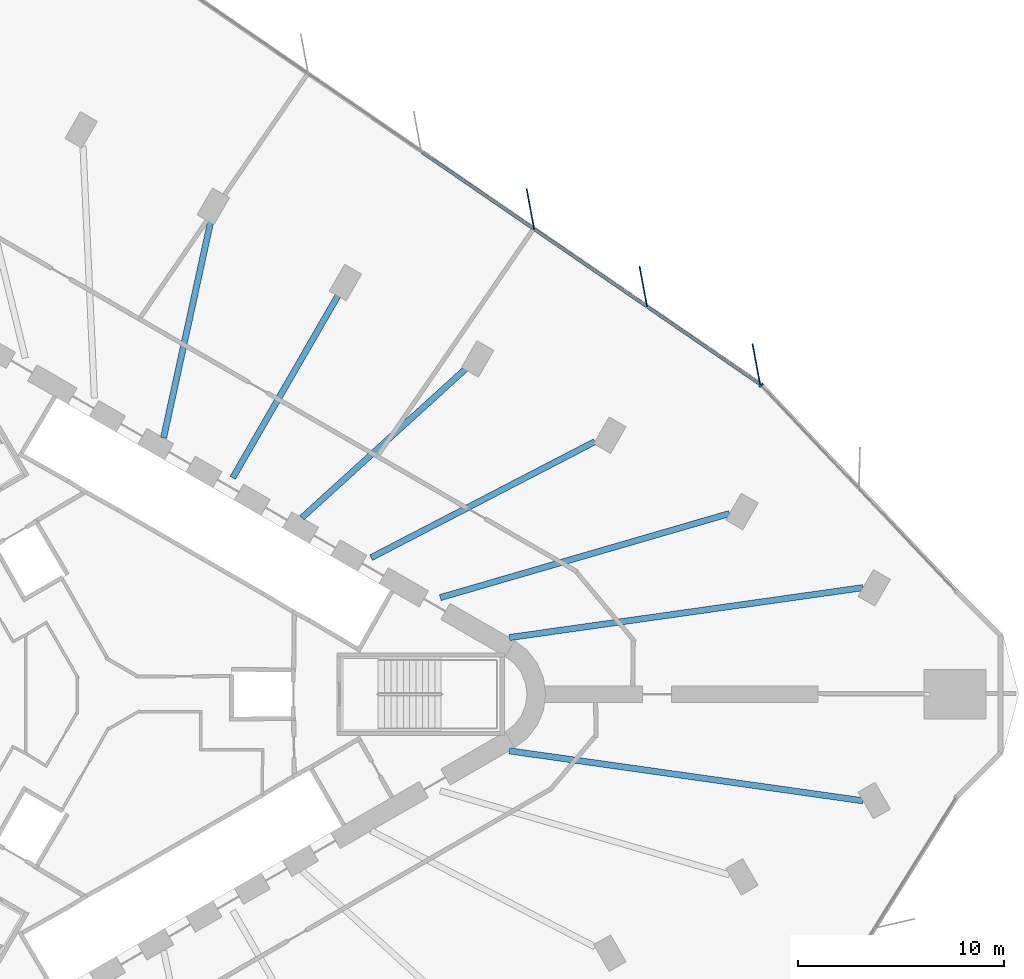
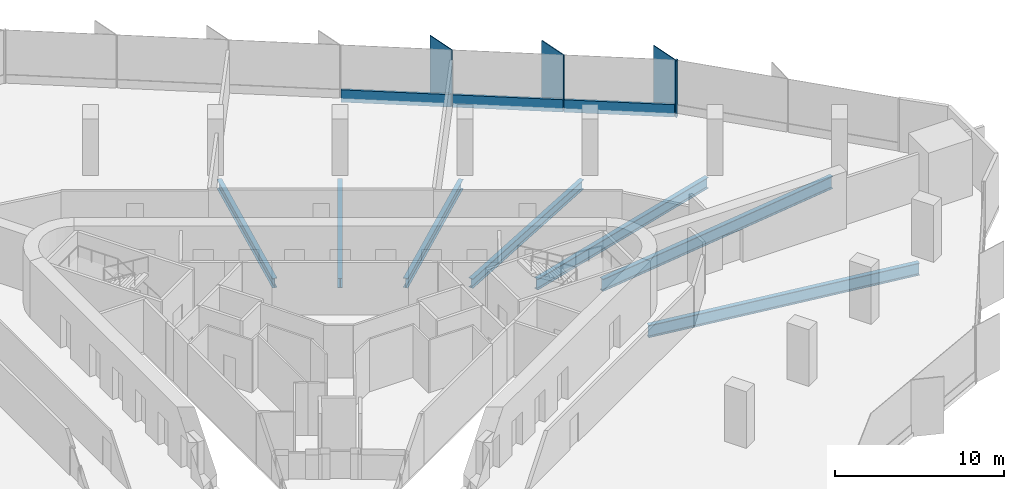
# One storey, part 5 of 15: 7 beams, 7 members, 2 elements without a shape of their own.
"""IFC4 building model written with IfcOpenShell, lengths in metres."""

import ifcopenshell
import ifcopenshell.guid

model = None  # the IFC model being written
_history = None  # IfcOwnerHistory: only IFC2X3 demands one
_inside = {}  # id of a spatial element -> (the spatial element, [elements in it])
_under = {}  # id of a project, library or spatial element -> (it, [spatial elements below it])
_declared = {}  # id of a project -> (the project, [libraries it declares])
_typed = {}  # id of a type object -> (the type object, [elements of that type])
_made_of = {}  # id of a material, layer set ... -> (it, [elements and type objects made of it])


def new_model(schema):
    """Start an empty IFC model of exactly this schema.

    Asked for "IFC4X3", IfcOpenShell would pick the latest addendum, in which some entities
    have other attributes; the version numbers below select the first issue.
    IFC2X3 requires an IfcOwnerHistory on every rooted entity: one is made here for all.
    """
    global model, _history
    if schema == "IFC4X3":
        model = ifcopenshell.file(schema_version=(4, 3, 0, 0))
    else:
        model = ifcopenshell.file(schema=schema)
    _inside.clear()
    _under.clear()
    _declared.clear()
    _typed.clear()
    _made_of.clear()
    _history = None
    if model.schema == "IFC2X3":
        org = make("IfcOrganization", Name="unknown")
        user = make(
            "IfcPersonAndOrganization",
            ThePerson=make("IfcPerson", FamilyName="unknown"),
            TheOrganization=org,
        )
        app = make(
            "IfcApplication",
            ApplicationDeveloper=org,
            Version="unknown",
            ApplicationFullName="unknown",
            ApplicationIdentifier="unknown",
        )
        _history = make(
            "IfcOwnerHistory",
            OwningUser=user,
            OwningApplication=app,
            ChangeAction="ADDED",
            CreationDate=0,
        )
    return model


def make(cls, **values):
    """One entity of the class cls with the attributes given. An attribute that is None is left unset."""
    return model.create_entity(
        cls, **{name: value for name, value in values.items() if value is not None}
    )


def rooted(cls, **values):
    """An entity with a GlobalId (a new one), such as an element, a storey or a relation."""
    return make(cls, GlobalId=ifcopenshell.guid.new(), OwnerHistory=_history, **values)


def si_unit(unit_type, name, prefix=None):
    """IfcSIUnit, for example si_unit("LENGTHUNIT", "METRE", prefix="MILLI")."""
    return make("IfcSIUnit", UnitType=unit_type, Prefix=prefix, Name=name)


def assignment(units):
    """IfcUnitAssignment: the units of a project."""
    return None if units is None else make("IfcUnitAssignment", Units=units)


def point(xyz):
    """IfcCartesianPoint."""
    return None if xyz is None else make("IfcCartesianPoint", Coordinates=xyz)


def direction(xyz):
    """IfcDirection."""
    return None if xyz is None else make("IfcDirection", DirectionRatios=xyz)


def frame(location, z_axis=None, x_axis=None):
    """IfcAxis2Placement3D, a coordinate frame: its origin and axes. An axis left out is left unset."""
    return make(
        "IfcAxis2Placement3D",
        Location=point(location),
        Axis=direction(z_axis),
        RefDirection=direction(x_axis),
    )


def frame_2d(location, x_axis=None):
    """IfcAxis2Placement2D, a coordinate frame in the plane: its origin and x axis."""
    return make(
        "IfcAxis2Placement2D", Location=point(location), RefDirection=direction(x_axis)
    )


def origin():
    """The frame at (0, 0, 0) with its axes left unset."""
    return frame((0.0, 0.0, 0.0))


def origin_2d():
    """The frame at (0, 0) in the plane with its x axis left unset."""
    return frame_2d((0.0, 0.0))


def place(relative_to, where):
    """IfcLocalPlacement: puts the frame where relative to a parent placement (None: the world)."""
    return make(
        "IfcLocalPlacement", PlacementRelTo=relative_to, RelativePlacement=where
    )


def context(
    kind, dimensions, precision=None, world=None, true_north=None, identifier=None
):
    """IfcGeometricRepresentationContext, for example the 3D "Model" context."""
    return make(
        "IfcGeometricRepresentationContext",
        ContextIdentifier=identifier,
        ContextType=kind,
        CoordinateSpaceDimension=dimensions,
        Precision=precision,
        WorldCoordinateSystem=world,
        TrueNorth=true_north,
    )


def subcontext(parent, identifier, kind, view, scale=None):
    """IfcGeometricRepresentationSubContext, for example "Body" below "Model"."""
    return make(
        "IfcGeometricRepresentationSubContext",
        ContextIdentifier=identifier,
        ContextType=kind,
        ParentContext=parent,
        TargetScale=scale,
        TargetView=view,
    )


def project(units=None, contexts=None):
    """IfcProject with its units and contexts."""
    return rooted(
        "IfcProject",
        Name="project",
        RepresentationContexts=contexts,
        UnitsInContext=assignment(units),
    )


def spatial(cls, under=None, at=None, **own):
    """A site, building, storey or space (cls), placed at a placement, below another one or the project."""
    s = rooted(cls, ObjectPlacement=at, **own)
    if under is not None:
        _under.setdefault(under.id(), (under, []))[1].append(s)
    return s


def profile(cls, at=None, kind="AREA", **sizes):
    """A parametric profile (cls). Its sizes go by their IFC names, for example OverallWidth=200.0."""
    return make(cls, ProfileType=kind, Position=at, **sizes)


def rectangle(**sizes):
    """IfcRectangleProfileDef."""
    return profile("IfcRectangleProfileDef", **sizes)


def i_section(**sizes):
    """IfcIShapeProfileDef."""
    return profile("IfcIShapeProfileDef", **sizes)


def extrude(swept, where, along, depth):
    """IfcExtrudedAreaSolid: the profile swept, set in the frame where, extruded along a direction by depth."""
    return make(
        "IfcExtrudedAreaSolid",
        SweptArea=swept,
        Position=where,
        ExtrudedDirection=direction(along),
        Depth=depth,
    )


def shape(context_of_items, identifier, shape_type, items):
    """IfcShapeRepresentation: the items that make up one representation, for example the "Body"."""
    return make(
        "IfcShapeRepresentation",
        ContextOfItems=context_of_items,
        RepresentationIdentifier=identifier,
        RepresentationType=shape_type,
        Items=items,
    )


def material(Name=None, Category=None):
    """IfcMaterial."""
    return make("IfcMaterial", Name=Name, Category=Category)


def material_profile(
    of_material, cross_section, Name=None, Category=None, Priority=None
):
    """IfcMaterialProfile: a cross section and its material."""
    return make(
        "IfcMaterialProfile",
        Name=Name,
        Material=of_material,
        Profile=cross_section,
        Priority=Priority,
        Category=Category,
    )


def profile_set(profiles, Name=None, composite=None):
    """IfcMaterialProfileSet."""
    return make(
        "IfcMaterialProfileSet",
        Name=Name,
        MaterialProfiles=profiles,
        CompositeProfile=composite,
    )


def made_of(thing, what):
    """Note that an element or type object is made of a material, layer set ...; save() writes the relation."""
    if what is not None:
        _made_of.setdefault(what.id(), (what, []))[1].append(thing)
    return thing


def type_object(cls, material=None, **own):
    """A type object (cls), such as IfcWallType, which elements share."""
    return made_of(rooted(cls, **own), material)


def element(
    cls,
    number,
    at=None,
    inside=None,
    cuts=None,
    type_object=None,
    material=None,
    context=None,
    identifier="Body",
    shape_type=None,
    held_by="IfcProductDefinitionShape",
    body=None,
    shapes=None,
    **own,
):
    """One element of the class cls, such as IfcWall. Its Tag is "e" and its number.

    at: its placement. inside: the storey or other place that contains it. cuts: it is an
    opening in that element (IfcRelVoidsElement). A single representation is given by context,
    identifier, shape_type and body (its items); several are given by shapes. held_by: the class
    of the entity that holds the representations. save() writes the other relations.
    """
    e = rooted(cls, Tag="e%d" % number, ObjectPlacement=at, **own)
    if body is not None:
        shapes = [shape(context, identifier, shape_type, body)]
    if shapes is not None:
        e.Representation = make(held_by, Representations=shapes)
    if inside is not None:
        _inside.setdefault(inside.id(), (inside, []))[1].append(e)
    if cuts is not None:
        rooted(
            "IfcRelVoidsElement", RelatingBuildingElement=cuts, RelatedOpeningElement=e
        )
    if type_object is not None:
        _typed.setdefault(type_object.id(), (type_object, []))[1].append(e)
    return made_of(e, material)


def aggregate(whole, parts):
    """IfcRelAggregates: a whole, such as a stair, and the parts it consists of."""
    return rooted("IfcRelAggregates", RelatingObject=whole, RelatedObjects=parts)


def save(model, path):
    """Write the relations noted so far, then the file.

    IfcRelAggregates (storeys below a building ...), IfcRelContainedInSpatialStructure (elements
    in a storey), IfcRelDefinesByType, IfcRelAssociatesMaterial and IfcRelDeclares: one each for
    every whole, place, type object, material and project.
    """
    for whole, parts in _under.values():
        aggregate(whole, parts)
    for where, things in _inside.values():
        rooted(
            "IfcRelContainedInSpatialStructure",
            RelatedElements=things,
            RelatingStructure=where,
        )
    for kind, things in _typed.values():
        rooted("IfcRelDefinesByType", RelatedObjects=things, RelatingType=kind)
    for what, things in _made_of.values():
        rooted("IfcRelAssociatesMaterial", RelatedObjects=things, RelatingMaterial=what)
    for by, libraries in _declared.values():
        rooted("IfcRelDeclares", RelatingContext=by, RelatedDefinitions=libraries)
    model.write(path)


model = new_model("IFC4")

# Units and contexts
model_context = context("Model", 3, precision=1e-05, world=origin(), true_north=direction((0.0, 1.0)))
body_context = subcontext(model_context, "Body", "Model", "MODEL_VIEW")
ifc_project = project(units=[si_unit("LENGTHUNIT", "METRE"), si_unit("AREAUNIT", "SQUARE_METRE"), si_unit("VOLUMEUNIT", "CUBIC_METRE"), si_unit("PLANEANGLEUNIT", "RADIAN"), si_unit("MASSUNIT", "GRAM", prefix="KILO")], contexts=[model_context])

# Site, building, storey
site_placement = place(None, origin())
site = spatial("IfcSite", under=ifc_project, at=site_placement, CompositionType="ELEMENT")
building_placement = place(site_placement, origin())
building = spatial("IfcBuilding", under=site, at=building_placement, Name="Tanit Gate Tower", CompositionType="ELEMENT")
storey_placement = place(building_placement, frame((0.0, 0.0, 94.699951171875)))
storey = spatial("IfcBuildingStorey", under=building, at=storey_placement, Name="L19", CompositionType="ELEMENT", Elevation=94.699951171875)

# Curtain wall, members
ifc_material_1 = material(Name="Aluminium bronze anodised and glass", Category="aluminium")
curtain_wall_type = type_object("IfcCurtainWallType", Name="Curtain wall typical low", PredefinedType="NOTDEFINED", material=ifc_material_1)
curtain_wall_1_placement = place(storey_placement, origin())
curtain_wall_1 = element("IfcCurtainWall", 1, at=curtain_wall_1_placement, inside=storey, type_object=curtain_wall_type, Name="Curtain wall L19 NE2", PredefinedType="NOTDEFINED")
ifc_material_2 = material(Name="Aluminium bronze anodised", Category="aluminium")
ifc_material_profile_1 = material_profile(ifc_material_2, rectangle(XDim=2.0, YDim=0.055908203125, at=origin_2d()), Name="56x2000 bronze fin mullion")
ifc_profile_set_1 = profile_set([ifc_material_profile_1], Name="Aluminium bronze anodised")
member_type_1 = type_object("IfcMemberType", Name="FIN MULLION 56x2000 bronze", PredefinedType="MULLION", material=ifc_profile_set_1)
member_1_placement = place(storey_placement, frame((31.404296875, 15.97998046875, -0.300048828125), z_axis=(0.0, 0.0, 1.0), x_axis=(0.182847499991, -0.983141287785, 0.0)))
member_1 = element("IfcMember", 2, at=member_1_placement, type_object=member_type_1, Name="Fin mullion L19 NE2.1", PredefinedType="MULLION", context=body_context, shape_type="SweptSolid", body=[
    extrude(rectangle(XDim=2.0, YDim=0.055908203125, at=origin_2d()), origin(), (0.0, 0.0, 1.0), 4.10009765625),
])
member_2_placement = place(storey_placement, frame((25.93505859375, 19.73388671875, -0.300048828125), z_axis=(0.0, 0.0, 1.0), x_axis=(0.182847499991, -0.983141287785, 0.0)))
member_2 = element("IfcMember", 3, at=member_2_placement, type_object=member_type_1, Name="Fin mullion L19 NE2.2", PredefinedType="MULLION", context=body_context, shape_type="SweptSolid", body=[
    extrude(rectangle(XDim=2.0, YDim=0.055908203125, at=origin_2d()), origin(), (0.0, 0.0, 1.0), 4.10009765625),
])
member_3_placement = place(storey_placement, frame((20.4658203125, 23.48779296875, -0.300048828125), z_axis=(0.0, 0.0, 1.0), x_axis=(0.182847499991, -0.983141287785, 0.0)))
member_3 = element("IfcMember", 4, at=member_3_placement, type_object=member_type_1, Name="Fin mullion L19 NE2.3", PredefinedType="MULLION", context=body_context, shape_type="SweptSolid", body=[
    extrude(rectangle(XDim=2.0, YDim=0.055908203125, at=origin_2d()), origin(), (0.0, 0.0, 1.0), 4.10009765625),
])

# Curtain wall, member
curtain_wall_2_placement = place(storey_placement, origin())
curtain_wall_2 = element("IfcCurtainWall", 5, at=curtain_wall_2_placement, inside=storey, type_object=curtain_wall_type, Name="Curtain wall L19 NE1", PredefinedType="NOTDEFINED")
ifc_material_3 = material(Name="Aluminium bronze anodised", Category="aluminium")
ifc_material_profile_2 = material_profile(ifc_material_3, rectangle(XDim=0.239990234375, YDim=0.080078125, at=origin_2d()), Name="80x240 bronze mullion")
ifc_profile_set_2 = profile_set([ifc_material_profile_2], Name="Aluminium bronze anodised")
member_type_2 = type_object("IfcMemberType", Name="Mullion 80x240 typical low", PredefinedType="MULLION", material=ifc_profile_set_2)
member_4_placement = place(storey_placement, frame((31.6435546875, 14.96728515625, -0.300048828125), z_axis=(0.0, 0.0, 1.0), x_axis=(-0.726107422855, -0.687581275541, 0.0)))
member_4 = element("IfcMember", 6, at=member_4_placement, type_object=member_type_2, Name="Mullion L19 NE1.3", PredefinedType="MULLION", context=body_context, shape_type="SweptSolid", body=[
    extrude(rectangle(XDim=0.239990234375, YDim=0.080078125, at=origin_2d()), origin(), (0.0, 0.0, 1.0), 4.10009765625),
])
aggregate(curtain_wall_2, [member_4])

# Beams
ifc_material_4 = material(Name="Steel S355", Category="steel")
ifc_material_profile_3 = material_profile(ifc_material_4, i_section(OverallWidth=0.300048828125, OverallDepth=0.68994140625, WebThickness=0.014404296875, FlangeThickness=0.027099609375, FilletRadius=0.027099609375, at=origin_2d()), Name="HEA 700")
ifc_profile_set_3 = profile_set([ifc_material_profile_3], Name="Steel S355")
beam_type_1 = type_object("IfcBeamType", Name="RADIAL GIRDER HEA 700 S355", PredefinedType="BEAM", material=ifc_profile_set_3)
beam_1_placement = place(storey_placement, frame((23.5830078125, 12.23095703125, -0.64501953125), z_axis=(-0.887710923004, -0.460401256709, 0.0), x_axis=(0.460401256709, -0.887710923004, 0.0)))
element("IfcBeam", 7, at=beam_1_placement, inside=storey, type_object=beam_type_1, Name="RADIAL GIRDER", PredefinedType="BEAM", context=body_context, shape_type="SweptSolid", body=[
    extrude(i_section(OverallWidth=0.300048828125, OverallDepth=0.68994140625, WebThickness=0.014404296875, FlangeThickness=0.027099609375, FilletRadius=0.027099609375, at=origin_2d()), origin(), (0.0, 0.0, 1.0), 12.20263671875),
])
beam_2_placement = place(storey_placement, frame((17.382080078125, 15.802978515625, -0.64501953125), z_axis=(-0.739917542408, -0.67269757725, 0.0), x_axis=(0.67269757725, -0.739917542408, 0.0)))
element("IfcBeam", 8, at=beam_2_placement, inside=storey, type_object=beam_type_1, Name="RADIAL GIRDER", PredefinedType="BEAM", context=body_context, shape_type="SweptSolid", body=[
    extrude(i_section(OverallWidth=0.300048828125, OverallDepth=0.68994140625, WebThickness=0.014404296875, FlangeThickness=0.027099609375, FilletRadius=0.027099609375, at=origin_2d()), origin(), (0.0, 0.0, 1.0), 10.786865234375),
])
beam_3_placement = place(storey_placement, frame((11.1884765625, 19.37890625, -0.64501953125), z_axis=(-0.500005608904, -0.866022165458, 0.0), x_axis=(0.866022165458, -0.500005608904, 0.0)))
element("IfcBeam", 9, at=beam_3_placement, inside=storey, type_object=beam_type_1, Name="RADIAL GIRDER", PredefinedType="BEAM", context=body_context, shape_type="SweptSolid", body=[
    extrude(i_section(OverallWidth=0.300048828125, OverallDepth=0.68994140625, WebThickness=0.014404296875, FlangeThickness=0.027099609375, FilletRadius=0.027099609375, at=origin_2d()), origin(), (0.0, 0.0, 1.0), 10.27490234375),
])
beam_4_placement = place(storey_placement, frame((4.994873046875, 22.95458984375, -0.64501953125), z_axis=(-0.212619451543, -0.977135082179, 0.0), x_axis=(0.977135082179, -0.212619451543, 0.0)))
element("IfcBeam", 10, at=beam_4_placement, inside=storey, type_object=beam_type_1, Name="RADIAL GIRDER", PredefinedType="BEAM", context=body_context, shape_type="SweptSolid", body=[
    extrude(i_section(OverallWidth=0.300048828125, OverallDepth=0.68994140625, WebThickness=0.014404296875, FlangeThickness=0.027099609375, FilletRadius=0.027099609375, at=origin_2d()), origin(), (0.0, 0.0, 1.0), 10.78662109375),
])
ifc_material_5 = material(Name="Steel S355", Category="steel")
ifc_material_profile_4 = material_profile(ifc_material_5, i_section(OverallWidth=0.300048828125, OverallDepth=0.7900390625, WebThickness=0.014892578125, FlangeThickness=0.028076171875, FilletRadius=0.030029296875, at=origin_2d()), Name="HEA 800")
ifc_profile_set_4 = profile_set([ifc_material_profile_4], Name="Steel S355")
beam_type_2 = type_object("IfcBeamType", Name="RADIAL GIRDER HEA 800 S355", PredefinedType="BEAM", material=ifc_profile_set_4)
beam_5_placement = place(storey_placement, frame((30.10791015625, 8.749755859375, -0.695068359375), z_axis=(-0.960267984026, -0.279079556498, 0.0), x_axis=(0.279079556498, -0.960267984026, 0.0)))
element("IfcBeam", 11, at=beam_5_placement, inside=storey, type_object=beam_type_2, Name="RADIAL GIRDER", PredefinedType="BEAM", context=body_context, shape_type="SweptSolid", body=[
    extrude(i_section(OverallWidth=0.300048828125, OverallDepth=0.7900390625, WebThickness=0.014892578125, FlangeThickness=0.028076171875, FilletRadius=0.030029296875, at=origin_2d()), origin(), (0.0, 0.0, 1.0), 14.58740234375),
])
ifc_material_6 = material(Name="Steel S355", Category="steel")
ifc_material_profile_5 = material_profile(ifc_material_6, i_section(OverallWidth=0.300048828125, OverallDepth=0.889892578125, WebThickness=0.01611328125, FlangeThickness=0.030029296875, FilletRadius=0.030029296875, at=origin_2d()), Name="HEA 900")
ifc_profile_set_5 = profile_set([ifc_material_profile_5], Name="Steel S355")
beam_type_3 = type_object("IfcBeamType", Name="RADIAL GIRDER HEA 900 S355", PredefinedType="BEAM", material=ifc_profile_set_5)
for number, where, z_axis, x_axis, name in (
    (12, (36.571044921875, -5.1611328125, -0.744873046875), (-0.990188099662, 0.139740929178, 0.0), (-0.139740929178, -0.990188099662, 0.0), "RADIAL GIRDER"),
    (13, (36.571044921875, 5.1611328125, -0.744873046875), (-0.990188099662, -0.139740929178, 0.0), (0.139740929178, -0.990188099662, 0.0), "RADIAL GIRDER"),
):
    element("IfcBeam", number, at=place(storey_placement, frame(where, z_axis=z_axis, x_axis=x_axis)), inside=storey, type_object=beam_type_3, Name=name, PredefinedType="BEAM", context=body_context, shape_type="SweptSolid", body=[
        extrude(i_section(OverallWidth=0.300048828125, OverallDepth=0.889892578125, WebThickness=0.01611328125, FlangeThickness=0.030029296875, FilletRadius=0.030029296875, at=origin_2d()), origin(), (0.0, 0.0, 1.0), 17.291015625),
    ])

# Member
ifc_material_7 = material(Name="Aluminium bronze anodised", Category="aluminium")
ifc_material_profile_6 = material_profile(ifc_material_7, rectangle(XDim=0.159912109375, YDim=0.89990234375, at=origin_2d()), Name="160x900 bronze transom")
ifc_profile_set_6 = profile_set([ifc_material_profile_6], Name="Aluminium bronze anodised")
member_type_3 = type_object("IfcMemberType", Name="Transom 160x900 typical low", PredefinedType="USERDEFINED", material=ifc_profile_set_6)
member_5_placement = place(storey_placement, frame((31.550048828125, 15.04150390625, 0.150146484375), z_axis=(-0.824472115667, 0.565902580386, 0.0), x_axis=(-0.565902580386, -0.824472115667, 0.0)))
member_5 = element("IfcMember", 14, at=member_5_placement, type_object=member_type_3, Name="Transom L19 NE2.1", ObjectType="TRANSOM", PredefinedType="USERDEFINED", context=body_context, shape_type="SweptSolid", body=[
    extrude(rectangle(XDim=0.159912109375, YDim=0.89990234375, at=origin_2d()), origin(), (0.0, 0.0, 1.0), 6.5537109375),
])

member_6_placement = place(storey_placement, frame((26.080810546875, 18.79541015625, 0.150146484375), z_axis=(-0.824472115667, 0.565902580386, 0.0), x_axis=(-0.565902580386, -0.824472115667, 0.0)))
member_6 = element("IfcMember", 15, at=member_6_placement, type_object=member_type_3, Name="Transom L19 NE2.2", ObjectType="TRANSOM", PredefinedType="USERDEFINED", context=body_context, shape_type="SweptSolid", body=[
    extrude(rectangle(XDim=0.159912109375, YDim=0.89990234375, at=origin_2d()), origin(), (0.0, 0.0, 1.0), 6.5537109375),
])

member_7_placement = place(storey_placement, frame((20.611572265625, 22.549560546875, 0.150146484375), z_axis=(-0.824489496573, 0.565877257046, 0.0), x_axis=(-0.565877257046, -0.824489496573, 0.0)))
member_7 = element("IfcMember", 16, at=member_7_placement, type_object=member_type_3, Name="Transom L19 NE2.3", ObjectType="TRANSOM", PredefinedType="USERDEFINED", context=body_context, shape_type="SweptSolid", body=[
    extrude(rectangle(XDim=0.159912109375, YDim=0.89990234375, at=origin_2d()), origin(), (0.0, 0.0, 1.0), 6.553466796875),
])

aggregate(curtain_wall_1, [member_1, member_2, member_3, member_5, member_6, member_7])

save(model, "model.ifc")
